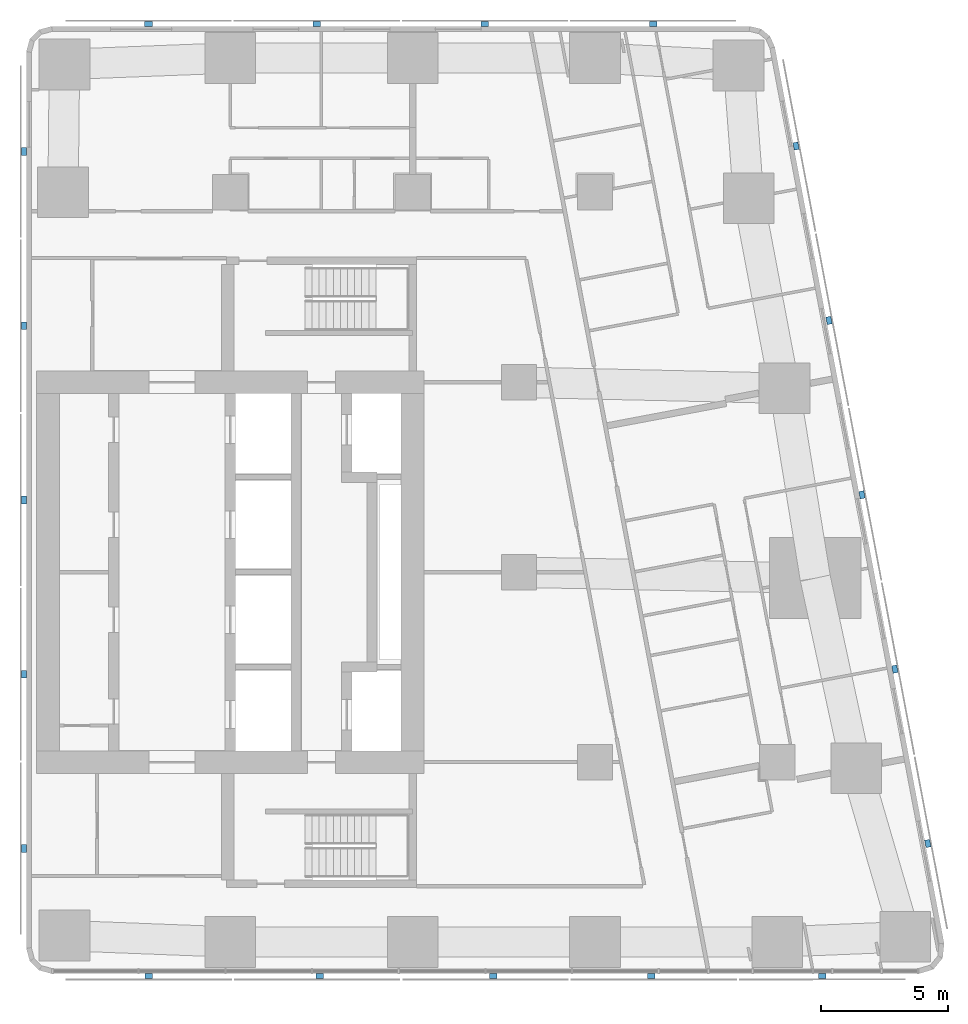
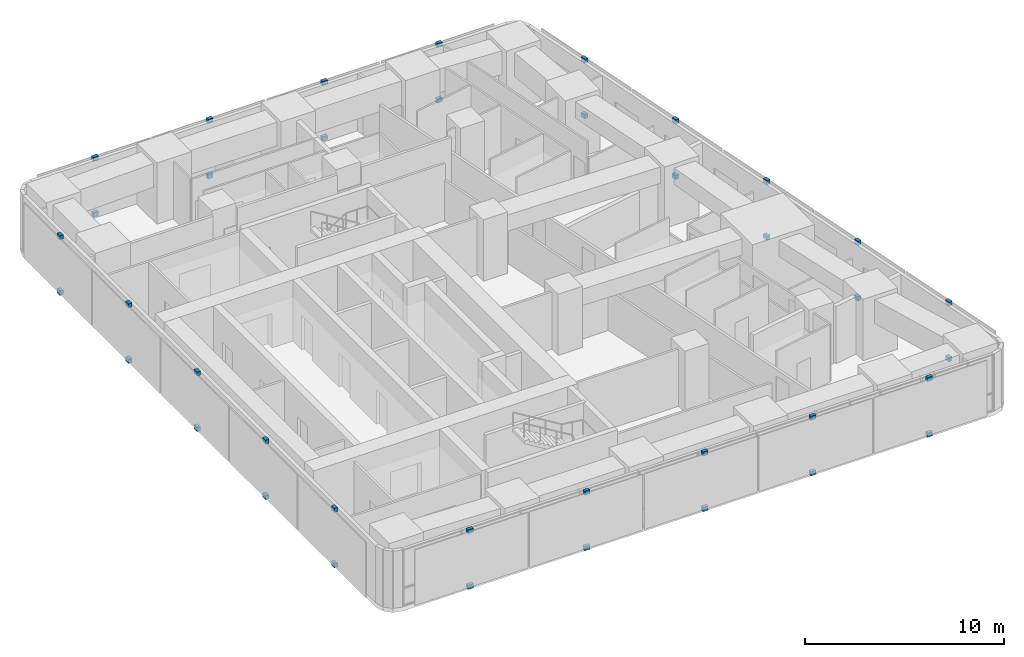
# One storey, part 9 of 11: 38 discrete accessories.
"""IFC4 building model written with IfcOpenShell, lengths in metres."""

from ifc_helpers import new_model, si_unit, direction, frame, origin, origin_2d, place, context, subcontext, project, spatial, rectangle, extrude, material, type_object, element, save


model = new_model("IFC4")

# Units and contexts
model_context = context("Model", 3, precision=1e-05, world=origin(), true_north=direction((0.0, 1.0)))
body_context = subcontext(model_context, "Body", "Model", "MODEL_VIEW")
ifc_project = project(units=[si_unit("LENGTHUNIT", "METRE"), si_unit("AREAUNIT", "SQUARE_METRE"), si_unit("VOLUMEUNIT", "CUBIC_METRE"), si_unit("PLANEANGLEUNIT", "RADIAN"), si_unit("MASSUNIT", "GRAM", prefix="KILO")], contexts=[model_context])

# Site, building, storey
site_placement = place(None, origin())
site = spatial("IfcSite", under=ifc_project, at=site_placement, CompositionType="ELEMENT")
building_placement = place(site_placement, origin())
building = spatial("IfcBuilding", under=site, at=building_placement, Name="Sheger Commons Tower", CompositionType="ELEMENT")
storey_placement = place(building_placement, frame((0.0, 0.0, 274.10009765625)))
storey = spatial("IfcBuildingStorey", under=building, at=storey_placement, Name="L70", CompositionType="ELEMENT", Elevation=274.10009765625)

# Discrete accessories
ifc_material = material(Name="Black painted steel bracket", Category="steel")
discrete_accessory_type = type_object("IfcDiscreteAccessoryType", Name="SCREEN BRACKET 300x200x250", PredefinedType="BRACKET", material=ifc_material)
for number, where, z_axis, x_axis, name in (
    (1, (18.375, 6.550048828125, -0.10009765625), (0.0, 0.0, 1.0), (1.0, 0.0, 0.0), "Solar screen foot bracket"),
    (2, (18.375, 6.550048828125, 3.2998046875), (0.0, 0.0, 1.0), (1.0, 0.0, 0.0), "Solar screen head bracket"),
    (3, (25.1259765625, 6.550048828125, -0.10009765625), (0.0, 0.0, 1.0), (1.0, 0.0, 0.0), "Solar screen foot bracket"),
    (4, (25.1259765625, 6.550048828125, 3.2998046875), (0.0, 0.0, 1.0), (1.0, 0.0, 0.0), "Solar screen head bracket"),
    (5, (31.97607421875, 6.550048828125, -0.10009765625), (0.0, 0.0, 1.0), (1.0, 0.0, 0.0), "Solar screen foot bracket"),
    (6, (31.97607421875, 6.550048828125, 3.2998046875), (0.0, 0.0, 1.0), (1.0, 0.0, 0.0), "Solar screen head bracket"),
    (7, (38.22607421875, 6.550048828125, -0.10009765625), (0.0, 0.0, 1.0), (1.0, 0.0, 0.0), "Solar screen foot bracket"),
    (8, (38.22607421875, 6.550048828125, 3.2998046875), (0.0, 0.0, 1.0), (1.0, 0.0, 0.0), "Solar screen head bracket"),
    (9, (44.97705078125, 6.550048828125, -0.10009765625), (0.0, 0.0, 1.0), (1.0, 0.0, 0.0), "Solar screen foot bracket"),
    (10, (44.97705078125, 6.550048828125, 3.2998046875), (0.0, 0.0, 1.0), (1.0, 0.0, 0.0), "Solar screen head bracket"),
    (11, (49.139892578125, 11.7880859375, -0.10009765625), (0.0, 0.0, 1.0), (-0.185615165645, 0.982622516678, 0.0), "Solar screen foot bracket"),
    (12, (49.139892578125, 11.7880859375, 3.2998046875), (0.0, 0.0, 1.0), (-0.185615165645, 0.982622516678, 0.0), "Solar screen head bracket"),
    (13, (47.840087890625, 18.6708984375, -0.10009765625), (0.0, 0.0, 1.0), (-0.185615165645, 0.982622516678, 0.0), "Solar screen foot bracket"),
    (14, (47.840087890625, 18.6708984375, 3.2998046875), (0.0, 0.0, 1.0), (-0.185615165645, 0.982622516678, 0.0), "Solar screen head bracket"),
    (15, (46.5400390625, 25.554931640625, -0.10009765625), (0.0, 0.0, 1.0), (-0.185615165645, 0.982622516678, 0.0), "Solar screen foot bracket"),
    (16, (46.5400390625, 25.554931640625, 3.2998046875), (0.0, 0.0, 1.0), (-0.185615165645, 0.982622516678, 0.0), "Solar screen head bracket"),
    (17, (45.239013671875, 32.43798828125, -0.10009765625), (0.0, 0.0, 1.0), (-0.185615165645, 0.982622516678, 0.0), "Solar screen foot bracket"),
    (18, (45.239013671875, 32.43798828125, 3.2998046875), (0.0, 0.0, 1.0), (-0.185615165645, 0.982622516678, 0.0), "Solar screen head bracket"),
    (19, (43.93896484375, 39.322021484375, -0.10009765625), (0.0, 0.0, 1.0), (-0.185615165645, 0.982622516678, 0.0), "Solar screen foot bracket"),
    (20, (43.93896484375, 39.322021484375, 3.2998046875), (0.0, 0.0, 1.0), (-0.185615165645, 0.982622516678, 0.0), "Solar screen head bracket"),
    (21, (38.2939453125, 44.14990234375, -0.10009765625), (0.0, 0.0, 1.0), (-1.0, 0.0, 0.0), "Solar screen foot bracket"),
    (22, (38.2939453125, 44.14990234375, 3.2998046875), (0.0, 0.0, 1.0), (-1.0, 0.0, 0.0), "Solar screen head bracket"),
    (23, (31.653076171875, 44.14990234375, -0.10009765625), (0.0, 0.0, 1.0), (-1.0, 0.0, 0.0), "Solar screen foot bracket"),
    (24, (31.653076171875, 44.14990234375, 3.2998046875), (0.0, 0.0, 1.0), (-1.0, 0.0, 0.0), "Solar screen head bracket"),
    (25, (25.011962890625, 44.14990234375, -0.10009765625), (0.0, 0.0, 1.0), (-1.0, 0.0, 0.0), "Solar screen foot bracket"),
    (26, (25.011962890625, 44.14990234375, 3.2998046875), (0.0, 0.0, 1.0), (-1.0, 0.0, 0.0), "Solar screen head bracket"),
    (27, (18.37109375, 44.14990234375, -0.10009765625), (0.0, 0.0, 1.0), (-1.0, 0.0, 0.0), "Solar screen foot bracket"),
    (28, (18.37109375, 44.14990234375, 3.2998046875), (0.0, 0.0, 1.0), (-1.0, 0.0, 0.0), "Solar screen head bracket"),
    (29, (13.449951171875, 39.110107421875, -0.10009765625), (0.0, 0.0, 1.0), (0.0, -1.0, 0.0), "Solar screen foot bracket"),
    (30, (13.449951171875, 39.110107421875, 3.2998046875), (0.0, 0.0, 1.0), (0.0, -1.0, 0.0), "Solar screen head bracket"),
    (31, (13.449951171875, 32.22998046875, -0.10009765625), (0.0, 0.0, 1.0), (0.0, -1.0, 0.0), "Solar screen foot bracket"),
    (32, (13.449951171875, 32.22998046875, 3.2998046875), (0.0, 0.0, 1.0), (0.0, -1.0, 0.0), "Solar screen head bracket"),
    (33, (13.449951171875, 25.35009765625, -0.10009765625), (0.0, 0.0, 1.0), (0.0, -1.0, 0.0), "Solar screen foot bracket"),
    (34, (13.449951171875, 25.35009765625, 3.2998046875), (0.0, 0.0, 1.0), (0.0, -1.0, 0.0), "Solar screen head bracket"),
    (35, (13.449951171875, 18.469970703125, -0.10009765625), (0.0, 0.0, 1.0), (0.0, -1.0, 0.0), "Solar screen foot bracket"),
    (36, (13.449951171875, 18.469970703125, 3.2998046875), (0.0, 0.0, 1.0), (0.0, -1.0, 0.0), "Solar screen head bracket"),
    (37, (13.449951171875, 11.590087890625, -0.10009765625), (0.0, 0.0, 1.0), (0.0, -1.0, 0.0), "Solar screen foot bracket"),
    (38, (13.449951171875, 11.590087890625, 3.2998046875), (0.0, 0.0, 1.0), (0.0, -1.0, 0.0), "Solar screen head bracket"),
):
    element("IfcDiscreteAccessory", number, at=place(storey_placement, frame(where, z_axis=z_axis, x_axis=x_axis)), inside=storey, type_object=discrete_accessory_type, Name=name, PredefinedType="BRACKET", context=body_context, shape_type="SweptSolid", body=[
        extrude(rectangle(XDim=0.300048828125, YDim=0.199951171875, at=origin_2d()), origin(), (0.0, 0.0, 1.0), 0.25),
    ])

save(model, "model.ifc")
